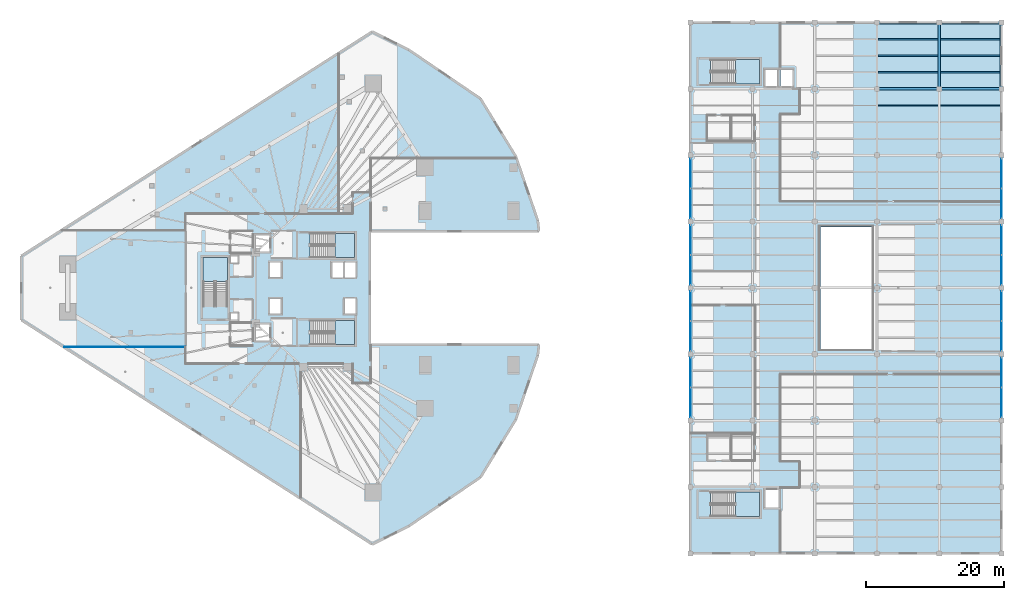
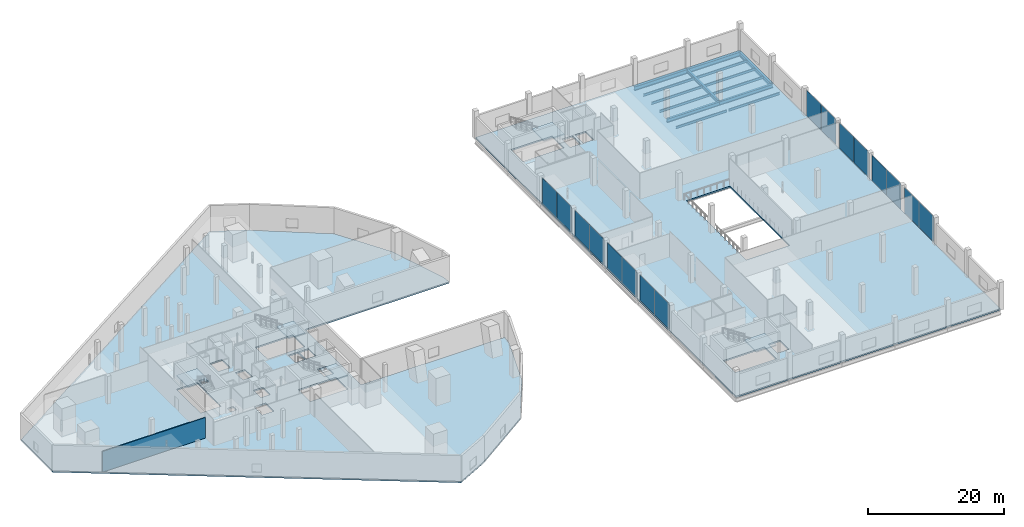
# One storey, part 25 of 47: 16 plates, 14 beams, 7 slabs, 1 wall, 13 elements without a shape of their own.
"""IFC4 building model written with IfcOpenShell, lengths in metres."""

from ifc_helpers import new_model, si_unit, direction, frame, frame_2d, origin, origin_2d, place, context, subcontext, project, spatial, polyline, rectangle, i_section, outline, extrude, material, layer, layer_set, material_profile, profile_set, type_object, element, aggregate, save


model = new_model("IFC4")

# Units and contexts
model_context = context("Model", 3, precision=1e-05, world=origin(), true_north=direction((0.0, 1.0)))
body_context = subcontext(model_context, "Body", "Model", "MODEL_VIEW")
ifc_project = project(units=[si_unit("LENGTHUNIT", "METRE"), si_unit("AREAUNIT", "SQUARE_METRE"), si_unit("VOLUMEUNIT", "CUBIC_METRE"), si_unit("PLANEANGLEUNIT", "RADIAN"), si_unit("MASSUNIT", "GRAM", prefix="KILO")], contexts=[model_context])

# Site, building, storey
site_placement = place(None, origin())
site = spatial("IfcSite", under=ifc_project, at=site_placement, CompositionType="ELEMENT")
building_placement = place(site_placement, origin())
building = spatial("IfcBuilding", under=site, at=building_placement, Name="Qorvath Tower", CompositionType="ELEMENT")
storey_placement = place(building_placement, frame((0.0, 0.0, 12.0)))
storey = spatial("IfcBuildingStorey", under=building, at=storey_placement, Name="L02", CompositionType="ELEMENT", Elevation=12.0)

# Beams
ifc_material_1 = material(Name="Steel ASTM A992 Grade 50", Category="steel")
ifc_material_profile_1 = material_profile(ifc_material_1, i_section(OverallWidth=0.381103515625, OverallDepth=0.77294921875, WebThickness=0.0166015625, FlangeThickness=0.027099609375, FilletRadius=0.01904296875, at=origin_2d()), Name="W30x173")
ifc_profile_set_1 = profile_set([ifc_material_profile_1], Name="Steel ASTM A992 Grade 50")
beam_type_1 = type_object("IfcBeamType", Name="BM-FG3", PredefinedType="BEAM", material=ifc_profile_set_1)
for number, where, z_axis, x_axis, name in (
    (1, (59.39990234375, 38.39990234375, -0.646484375), (1.0, 0.0, 0.0), (0.0, 1.0, 0.0), "Library E-W Girder L02-9-4"),
    (2, (68.39990234375, 38.39990234375, -0.646484375), (1.0, 0.0, 0.0), (0.0, 1.0, 0.0), "Library E-W Girder L02-9-5"),
):
    element("IfcBeam", number, at=place(storey_placement, frame(where, z_axis=z_axis, x_axis=x_axis)), inside=storey, type_object=beam_type_1, Name=name, PredefinedType="BEAM", context=body_context, shape_type="SweptSolid", body=[
        extrude(i_section(OverallWidth=0.381103515625, OverallDepth=0.77294921875, WebThickness=0.0166015625, FlangeThickness=0.027099609375, FilletRadius=0.01904296875, at=origin_2d()), origin(), (0.0, 0.0, 1.0), 9.0),
    ])
beam_1_placement = place(storey_placement, frame((77.39990234375, 28.800048828125, -0.646484375), z_axis=(0.0, 1.0, 0.0), x_axis=(-1.0, 0.0, 0.0)))
element("IfcBeam", 3, at=beam_1_placement, inside=storey, type_object=beam_type_1, Name="Library N-S Girder L02-6-8", PredefinedType="BEAM", context=body_context, shape_type="SweptSolid", body=[
    extrude(i_section(OverallWidth=0.381103515625, OverallDepth=0.77294921875, WebThickness=0.0166015625, FlangeThickness=0.027099609375, FilletRadius=0.01904296875, at=origin_2d()), origin(), (0.0, 0.0, 1.0), 9.599853515625),
])
ifc_material_2 = material(Name="Steel ASTM A992 Grade 50", Category="steel")
ifc_material_profile_2 = material_profile(ifc_material_2, i_section(OverallWidth=0.35595703125, OverallDepth=0.696044921875, WebThickness=0.015380859375, FlangeThickness=0.02490234375, FilletRadius=0.01806640625, at=origin_2d()), Name="W27x146")
ifc_profile_set_2 = profile_set([ifc_material_profile_2], Name="Steel ASTM A992 Grade 50")
beam_type_2 = type_object("IfcBeamType", Name="BM-FG4", PredefinedType="BEAM", material=ifc_profile_set_2)
for number, where, z_axis, x_axis, name in (
    (4, (59.39990234375, 28.800048828125, -0.60791015625), (1.0, 0.0, 0.0), (0.0, 1.0, 0.0), "Library E-W Girder L02-8-4"),
    (5, (68.39990234375, 28.800048828125, -0.60791015625), (1.0, 0.0, 0.0), (0.0, 1.0, 0.0), "Library E-W Girder L02-8-5"),
):
    element("IfcBeam", number, at=place(storey_placement, frame(where, z_axis=z_axis, x_axis=x_axis)), inside=storey, type_object=beam_type_2, Name=name, PredefinedType="BEAM", context=body_context, shape_type="SweptSolid", body=[
        extrude(i_section(OverallWidth=0.35595703125, OverallDepth=0.696044921875, WebThickness=0.015380859375, FlangeThickness=0.02490234375, FilletRadius=0.01806640625, at=origin_2d()), origin(), (0.0, 0.0, 1.0), 9.0),
    ])
ifc_material_3 = material(Name="Steel ASTM A992 Grade 50", Category="steel")
ifc_material_profile_3 = material_profile(ifc_material_3, i_section(OverallWidth=0.324951171875, OverallDepth=0.615966796875, WebThickness=0.013916015625, FlangeThickness=0.021484375, FilletRadius=0.01611328125, at=origin_2d()), Name="W24x117")
ifc_profile_set_3 = profile_set([ifc_material_profile_3], Name="Steel ASTM A992 Grade 50")
beam_type_3 = type_object("IfcBeamType", Name="BM-FG5", PredefinedType="BEAM", material=ifc_profile_set_3)
beam_2_placement = place(storey_placement, frame((68.39990234375, 28.800048828125, -0.568115234375), z_axis=(0.0, 1.0, 0.0), x_axis=(-1.0, 0.0, 0.0)))
element("IfcBeam", 6, at=beam_2_placement, inside=storey, type_object=beam_type_3, Name="Library N-S Girder L02-5-8", PredefinedType="BEAM", context=body_context, shape_type="SweptSolid", body=[
    extrude(i_section(OverallWidth=0.324951171875, OverallDepth=0.615966796875, WebThickness=0.013916015625, FlangeThickness=0.021484375, FilletRadius=0.01611328125, at=origin_2d()), origin(), (0.0, 0.0, 1.0), 9.599853515625),
])
ifc_material_4 = material(Name="Steel ASTM A992 Grade 50", Category="steel")
ifc_material_profile_4 = material_profile(ifc_material_4, i_section(OverallWidth=0.18994140625, OverallDepth=0.45703125, WebThickness=0.009033203125, FlangeThickness=0.014404296875, FilletRadius=0.011962890625, at=origin_2d()), Name="W18x50")
ifc_profile_set_4 = profile_set([ifc_material_profile_4], Name="Steel ASTM A992 Grade 50")
beam_type_4 = type_object("IfcBeamType", Name="BM-FJ2", PredefinedType="JOIST", material=ifc_profile_set_4)
beam_3_placement = place(storey_placement, frame((59.560546875, 26.39990234375, -0.488525390625), z_axis=(1.0, 0.0, 0.0), x_axis=(0.0, 1.0, 0.0)))
element("IfcBeam", 7, at=beam_3_placement, inside=storey, type_object=beam_type_4, Name="Library Stack Joist L02-7.3-4", PredefinedType="JOIST", context=body_context, shape_type="SweptSolid", body=[
    extrude(i_section(OverallWidth=0.18994140625, OverallDepth=0.45703125, WebThickness=0.009033203125, FlangeThickness=0.014404296875, FilletRadius=0.011962890625, at=origin_2d()), origin(), (0.0, 0.0, 1.0), 8.678955078125),
])
beam_4_placement = place(storey_placement, frame((68.560546875, 26.39990234375, -0.488525390625), z_axis=(1.0, 0.0, 0.0), x_axis=(0.0, 1.0, 0.0)))
element("IfcBeam", 8, at=beam_4_placement, inside=storey, type_object=beam_type_4, Name="Library Stack Joist L02-7.3-5", PredefinedType="JOIST", context=body_context, shape_type="SweptSolid", body=[
    extrude(i_section(OverallWidth=0.18994140625, OverallDepth=0.45703125, WebThickness=0.009033203125, FlangeThickness=0.014404296875, FilletRadius=0.011962890625, at=origin_2d()), origin(), (0.0, 0.0, 1.0), 8.65087890625),
])
beam_5_placement = place(storey_placement, frame((59.560546875, 31.199951171875, -0.488525390625), z_axis=(1.0, 0.0, 0.0), x_axis=(0.0, 1.0, 0.0)))
element("IfcBeam", 9, at=beam_5_placement, inside=storey, type_object=beam_type_4, Name="Library Stack Joist L02-8.1-4", PredefinedType="JOIST", context=body_context, shape_type="SweptSolid", body=[
    extrude(i_section(OverallWidth=0.18994140625, OverallDepth=0.45703125, WebThickness=0.009033203125, FlangeThickness=0.014404296875, FilletRadius=0.011962890625, at=origin_2d()), origin(), (0.0, 0.0, 1.0), 8.678955078125),
])
beam_6_placement = place(storey_placement, frame((68.560546875, 31.199951171875, -0.488525390625), z_axis=(1.0, 0.0, 0.0), x_axis=(0.0, 1.0, 0.0)))
element("IfcBeam", 10, at=beam_6_placement, inside=storey, type_object=beam_type_4, Name="Library Stack Joist L02-8.1-5", PredefinedType="JOIST", context=body_context, shape_type="SweptSolid", body=[
    extrude(i_section(OverallWidth=0.18994140625, OverallDepth=0.45703125, WebThickness=0.009033203125, FlangeThickness=0.014404296875, FilletRadius=0.011962890625, at=origin_2d()), origin(), (0.0, 0.0, 1.0), 8.65087890625),
])
beam_7_placement = place(storey_placement, frame((59.560546875, 33.60009765625, -0.488525390625), z_axis=(1.0, 0.0, 0.0), x_axis=(0.0, 1.0, 0.0)))
element("IfcBeam", 11, at=beam_7_placement, inside=storey, type_object=beam_type_4, Name="Library Stack Joist L02-8.2-4", PredefinedType="JOIST", context=body_context, shape_type="SweptSolid", body=[
    extrude(i_section(OverallWidth=0.18994140625, OverallDepth=0.45703125, WebThickness=0.009033203125, FlangeThickness=0.014404296875, FilletRadius=0.011962890625, at=origin_2d()), origin(), (0.0, 0.0, 1.0), 8.678955078125),
])
beam_8_placement = place(storey_placement, frame((68.560546875, 33.60009765625, -0.488525390625), z_axis=(1.0, 0.0, 0.0), x_axis=(0.0, 1.0, 0.0)))
element("IfcBeam", 12, at=beam_8_placement, inside=storey, type_object=beam_type_4, Name="Library Stack Joist L02-8.2-5", PredefinedType="JOIST", context=body_context, shape_type="SweptSolid", body=[
    extrude(i_section(OverallWidth=0.18994140625, OverallDepth=0.45703125, WebThickness=0.009033203125, FlangeThickness=0.014404296875, FilletRadius=0.011962890625, at=origin_2d()), origin(), (0.0, 0.0, 1.0), 8.65087890625),
])
beam_9_placement = place(storey_placement, frame((59.560546875, 36.0, -0.488525390625), z_axis=(1.0, 0.0, 0.0), x_axis=(0.0, 1.0, 0.0)))
element("IfcBeam", 13, at=beam_9_placement, inside=storey, type_object=beam_type_4, Name="Library Stack Joist L02-8.3-4", PredefinedType="JOIST", context=body_context, shape_type="SweptSolid", body=[
    extrude(i_section(OverallWidth=0.18994140625, OverallDepth=0.45703125, WebThickness=0.009033203125, FlangeThickness=0.014404296875, FilletRadius=0.011962890625, at=origin_2d()), origin(), (0.0, 0.0, 1.0), 8.678955078125),
])
beam_10_placement = place(storey_placement, frame((68.560546875, 36.0, -0.488525390625), z_axis=(1.0, 0.0, 0.0), x_axis=(0.0, 1.0, 0.0)))
element("IfcBeam", 14, at=beam_10_placement, inside=storey, type_object=beam_type_4, Name="Library Stack Joist L02-8.3-5", PredefinedType="JOIST", context=body_context, shape_type="SweptSolid", body=[
    extrude(i_section(OverallWidth=0.18994140625, OverallDepth=0.45703125, WebThickness=0.009033203125, FlangeThickness=0.014404296875, FilletRadius=0.011962890625, at=origin_2d()), origin(), (0.0, 0.0, 1.0), 8.65087890625),
])

# Curtain wall, plates
ifc_material_5 = material(Name="Anodised aluminium and triple low-E glass", Category="aluminium")
ifc_layer_1 = layer(ifc_material_5, 0.179931640625)
ifc_layer_set_1 = layer_set([ifc_layer_1], Name="CW-SYS-6")
curtain_wall_type = type_object("IfcCurtainWallType", Name="CW-SYS-6", PredefinedType="NOTDEFINED", material=ifc_layer_set_1)
curtain_wall_1_placement = place(storey_placement, origin())
curtain_wall_1 = element("IfcCurtainWall", 15, at=curtain_wall_1_placement, inside=storey, type_object=curtain_wall_type, Name="Curtain Wall CW-6 CW-LIB-W-L02-3", PredefinedType="NOTDEFINED")
ifc_material_6 = material(Name="Low-E triple insulated glass", Category="glass")
ifc_layer_2 = layer(ifc_material_6, 0.031982421875)
ifc_layer_set_2 = layer_set([ifc_layer_2], Name="CWP-GLZ-32")
plate_type = type_object("IfcPlateType", Name="CWP-GLZ-32", PredefinedType="CURTAIN_PANEL", material=ifc_layer_set_2)
plate_1_placement = place(storey_placement, frame((32.39990234375, -16.570068359375, 0.06494140625), z_axis=(0.0, 0.0, 1.0), x_axis=(0.0, 1.0, 0.0)))
plate_1 = element("IfcPlate", 16, at=plate_1_placement, type_object=plate_type, Name="CW-6 panel 1.1", PredefinedType="CURTAIN_PANEL", context=body_context, shape_type="SweptSolid", body=[
    extrude(rectangle(XDim=4.260009765625, YDim=0.031982421875, at=origin_2d()), origin(), (0.0, 0.0, 1.0), 4.610107421875),
])
plate_2_placement = place(storey_placement, frame((32.39990234375, -12.22998046875, 0.06494140625), z_axis=(0.0, 0.0, 1.0), x_axis=(0.0, 1.0, 0.0)))
plate_2 = element("IfcPlate", 17, at=plate_2_placement, type_object=plate_type, Name="CW-6 panel 2.1", PredefinedType="CURTAIN_PANEL", context=body_context, shape_type="SweptSolid", body=[
    extrude(rectangle(XDim=4.260009765625, YDim=0.031982421875, at=origin_2d()), origin(), (0.0, 0.0, 1.0), 4.610107421875),
])
aggregate(curtain_wall_1, [plate_1, plate_2])

curtain_wall_2_placement = place(storey_placement, origin())
curtain_wall_2 = element("IfcCurtainWall", 18, at=curtain_wall_2_placement, inside=storey, type_object=curtain_wall_type, Name="Curtain Wall CW-6 CW-LIB-W-L02-4", PredefinedType="NOTDEFINED")
plate_3_placement = place(storey_placement, frame((32.39990234375, -6.969970703125, 0.06494140625), z_axis=(0.0, 0.0, 1.0), x_axis=(0.0, 1.0, 0.0)))
plate_3 = element("IfcPlate", 19, at=plate_3_placement, type_object=plate_type, Name="CW-6 panel 1.1", PredefinedType="CURTAIN_PANEL", context=body_context, shape_type="SweptSolid", body=[
    extrude(rectangle(XDim=4.260009765625, YDim=0.031982421875, at=origin_2d()), origin(), (0.0, 0.0, 1.0), 4.610107421875),
])
plate_4_placement = place(storey_placement, frame((32.39990234375, -2.6298828125, 0.06494140625), z_axis=(0.0, 0.0, 1.0), x_axis=(0.0, 1.0, 0.0)))
plate_4 = element("IfcPlate", 20, at=plate_4_placement, type_object=plate_type, Name="CW-6 panel 2.1", PredefinedType="CURTAIN_PANEL", context=body_context, shape_type="SweptSolid", body=[
    extrude(rectangle(XDim=4.260009765625, YDim=0.031982421875, at=origin_2d()), origin(), (0.0, 0.0, 1.0), 4.610107421875),
])
aggregate(curtain_wall_2, [plate_3, plate_4])

curtain_wall_3_placement = place(storey_placement, origin())
curtain_wall_3 = element("IfcCurtainWall", 21, at=curtain_wall_3_placement, inside=storey, type_object=curtain_wall_type, Name="Curtain Wall CW-6 CW-LIB-W-L02-5", PredefinedType="NOTDEFINED")
plate_5_placement = place(storey_placement, frame((32.39990234375, 2.6298828125, 0.06494140625), z_axis=(0.0, 0.0, 1.0), x_axis=(0.0, 1.0, 0.0)))
plate_5 = element("IfcPlate", 22, at=plate_5_placement, type_object=plate_type, Name="CW-6 panel 1.1", PredefinedType="CURTAIN_PANEL", context=body_context, shape_type="SweptSolid", body=[
    extrude(rectangle(XDim=4.260009765625, YDim=0.031982421875, at=origin_2d()), origin(), (0.0, 0.0, 1.0), 4.610107421875),
])
plate_6_placement = place(storey_placement, frame((32.39990234375, 6.969970703125, 0.06494140625), z_axis=(0.0, 0.0, 1.0), x_axis=(0.0, 1.0, 0.0)))
plate_6 = element("IfcPlate", 23, at=plate_6_placement, type_object=plate_type, Name="CW-6 panel 2.1", PredefinedType="CURTAIN_PANEL", context=body_context, shape_type="SweptSolid", body=[
    extrude(rectangle(XDim=4.260009765625, YDim=0.031982421875, at=origin_2d()), origin(), (0.0, 0.0, 1.0), 4.610107421875),
])
aggregate(curtain_wall_3, [plate_5, plate_6])

curtain_wall_4_placement = place(storey_placement, origin())
curtain_wall_4 = element("IfcCurtainWall", 24, at=curtain_wall_4_placement, inside=storey, type_object=curtain_wall_type, Name="Curtain Wall CW-6 CW-LIB-W-L02-6", PredefinedType="NOTDEFINED")
plate_7_placement = place(storey_placement, frame((32.39990234375, 12.22998046875, 0.06494140625), z_axis=(0.0, 0.0, 1.0), x_axis=(0.0, 1.0, 0.0)))
plate_7 = element("IfcPlate", 25, at=plate_7_placement, type_object=plate_type, Name="CW-6 panel 1.1", PredefinedType="CURTAIN_PANEL", context=body_context, shape_type="SweptSolid", body=[
    extrude(rectangle(XDim=4.260009765625, YDim=0.031982421875, at=origin_2d()), origin(), (0.0, 0.0, 1.0), 4.610107421875),
])
plate_8_placement = place(storey_placement, frame((32.39990234375, 16.570068359375, 0.06494140625), z_axis=(0.0, 0.0, 1.0), x_axis=(0.0, 1.0, 0.0)))
plate_8 = element("IfcPlate", 26, at=plate_8_placement, type_object=plate_type, Name="CW-6 panel 2.1", PredefinedType="CURTAIN_PANEL", context=body_context, shape_type="SweptSolid", body=[
    extrude(rectangle(XDim=4.260009765625, YDim=0.031982421875, at=origin_2d()), origin(), (0.0, 0.0, 1.0), 4.610107421875),
])
aggregate(curtain_wall_4, [plate_7, plate_8])

curtain_wall_5_placement = place(storey_placement, origin())
curtain_wall_5 = element("IfcCurtainWall", 27, at=curtain_wall_5_placement, inside=storey, type_object=curtain_wall_type, Name="Curtain Wall CW-6 CW-LIB-E-L02-3", PredefinedType="NOTDEFINED")
plate_9_placement = place(storey_placement, frame((77.39990234375, -16.570068359375, 0.06494140625), z_axis=(0.0, 0.0, 1.0), x_axis=(0.0, 1.0, 0.0)))
plate_9 = element("IfcPlate", 28, at=plate_9_placement, type_object=plate_type, Name="CW-6 panel 1.1", PredefinedType="CURTAIN_PANEL", context=body_context, shape_type="SweptSolid", body=[
    extrude(rectangle(XDim=4.260009765625, YDim=0.031982421875, at=origin_2d()), origin(), (0.0, 0.0, 1.0), 4.610107421875),
])
plate_10_placement = place(storey_placement, frame((77.39990234375, -12.22998046875, 0.06494140625), z_axis=(0.0, 0.0, 1.0), x_axis=(0.0, 1.0, 0.0)))
plate_10 = element("IfcPlate", 29, at=plate_10_placement, type_object=plate_type, Name="CW-6 panel 2.1", PredefinedType="CURTAIN_PANEL", context=body_context, shape_type="SweptSolid", body=[
    extrude(rectangle(XDim=4.260009765625, YDim=0.031982421875, at=origin_2d()), origin(), (0.0, 0.0, 1.0), 4.610107421875),
])
aggregate(curtain_wall_5, [plate_9, plate_10])

curtain_wall_6_placement = place(storey_placement, origin())
curtain_wall_6 = element("IfcCurtainWall", 30, at=curtain_wall_6_placement, inside=storey, type_object=curtain_wall_type, Name="Curtain Wall CW-6 CW-LIB-E-L02-4", PredefinedType="NOTDEFINED")
plate_11_placement = place(storey_placement, frame((77.39990234375, -6.969970703125, 0.06494140625), z_axis=(0.0, 0.0, 1.0), x_axis=(0.0, 1.0, 0.0)))
plate_11 = element("IfcPlate", 31, at=plate_11_placement, type_object=plate_type, Name="CW-6 panel 1.1", PredefinedType="CURTAIN_PANEL", context=body_context, shape_type="SweptSolid", body=[
    extrude(rectangle(XDim=4.260009765625, YDim=0.031982421875, at=origin_2d()), origin(), (0.0, 0.0, 1.0), 4.610107421875),
])
plate_12_placement = place(storey_placement, frame((77.39990234375, -2.6298828125, 0.06494140625), z_axis=(0.0, 0.0, 1.0), x_axis=(0.0, 1.0, 0.0)))
plate_12 = element("IfcPlate", 32, at=plate_12_placement, type_object=plate_type, Name="CW-6 panel 2.1", PredefinedType="CURTAIN_PANEL", context=body_context, shape_type="SweptSolid", body=[
    extrude(rectangle(XDim=4.260009765625, YDim=0.031982421875, at=origin_2d()), origin(), (0.0, 0.0, 1.0), 4.610107421875),
])
aggregate(curtain_wall_6, [plate_11, plate_12])

curtain_wall_7_placement = place(storey_placement, origin())
curtain_wall_7 = element("IfcCurtainWall", 33, at=curtain_wall_7_placement, inside=storey, type_object=curtain_wall_type, Name="Curtain Wall CW-6 CW-LIB-E-L02-5", PredefinedType="NOTDEFINED")
plate_13_placement = place(storey_placement, frame((77.39990234375, 2.6298828125, 0.06494140625), z_axis=(0.0, 0.0, 1.0), x_axis=(0.0, 1.0, 0.0)))
plate_13 = element("IfcPlate", 34, at=plate_13_placement, type_object=plate_type, Name="CW-6 panel 1.1", PredefinedType="CURTAIN_PANEL", context=body_context, shape_type="SweptSolid", body=[
    extrude(rectangle(XDim=4.260009765625, YDim=0.031982421875, at=origin_2d()), origin(), (0.0, 0.0, 1.0), 4.610107421875),
])
plate_14_placement = place(storey_placement, frame((77.39990234375, 6.969970703125, 0.06494140625), z_axis=(0.0, 0.0, 1.0), x_axis=(0.0, 1.0, 0.0)))
plate_14 = element("IfcPlate", 35, at=plate_14_placement, type_object=plate_type, Name="CW-6 panel 2.1", PredefinedType="CURTAIN_PANEL", context=body_context, shape_type="SweptSolid", body=[
    extrude(rectangle(XDim=4.260009765625, YDim=0.031982421875, at=origin_2d()), origin(), (0.0, 0.0, 1.0), 4.610107421875),
])
aggregate(curtain_wall_7, [plate_13, plate_14])

curtain_wall_8_placement = place(storey_placement, origin())
curtain_wall_8 = element("IfcCurtainWall", 36, at=curtain_wall_8_placement, inside=storey, type_object=curtain_wall_type, Name="Curtain Wall CW-6 CW-LIB-E-L02-6", PredefinedType="NOTDEFINED")
plate_15_placement = place(storey_placement, frame((77.39990234375, 12.22998046875, 0.06494140625), z_axis=(0.0, 0.0, 1.0), x_axis=(0.0, 1.0, 0.0)))
plate_15 = element("IfcPlate", 37, at=plate_15_placement, type_object=plate_type, Name="CW-6 panel 1.1", PredefinedType="CURTAIN_PANEL", context=body_context, shape_type="SweptSolid", body=[
    extrude(rectangle(XDim=4.260009765625, YDim=0.031982421875, at=origin_2d()), origin(), (0.0, 0.0, 1.0), 4.610107421875),
])
plate_16_placement = place(storey_placement, frame((77.39990234375, 16.570068359375, 0.06494140625), z_axis=(0.0, 0.0, 1.0), x_axis=(0.0, 1.0, 0.0)))
plate_16 = element("IfcPlate", 38, at=plate_16_placement, type_object=plate_type, Name="CW-6 panel 2.1", PredefinedType="CURTAIN_PANEL", context=body_context, shape_type="SweptSolid", body=[
    extrude(rectangle(XDim=4.260009765625, YDim=0.031982421875, at=origin_2d()), origin(), (0.0, 0.0, 1.0), 4.610107421875),
])
aggregate(curtain_wall_8, [plate_15, plate_16])

# Slab
ifc_material_7 = material(Name="Concrete C45/55", Category="concrete")
ifc_layer_3 = layer(ifc_material_7, 0.260009765625)
ifc_layer_set_3 = layer_set([ifc_layer_3], Name="SL-LIB-STK-260")
slab_type_1 = type_object("IfcSlabType", Name="SL-LIB-STK-260", PredefinedType="FLOOR", material=ifc_layer_set_3)
slab_1_placement = place(storey_placement, frame((0.0, 0.0, -0.260009765625)))
element("IfcSlab", 39, at=slab_1_placement, inside=storey, type_object=slab_type_1, Name="Central Library L02 Floor Slab", PredefinedType="FLOOR", context=body_context, shape_type="SweptSolid", body=[
    extrude(outline(polyline([(77.39990234375, -38.39990234375), (77.39990234375, 38.39990234375), (32.39990234375, 38.39990234375), (32.39990234375, -38.39990234375), (77.39990234375, -38.39990234375)]), holes=[polyline([(58.60009765625, -8.800048828125), (51.199951171875, -8.800048828125), (51.199951171875, 8.800048828125), (58.60009765625, 8.800048828125), (58.60009765625, -8.800048828125)]), polyline([(47.199951171875, 29.199951171875), (45.39990234375, 29.199951171875), (45.39990234375, 31.60009765625), (47.199951171875, 31.60009765625), (47.199951171875, 29.199951171875)]), polyline([(45.199951171875, -31.800048828125), (43.199951171875, -31.800048828125), (43.199951171875, -29.199951171875), (45.199951171875, -29.199951171875), (45.199951171875, -31.800048828125)]), polyline([(45.0, 31.60009765625), (45.0, 29.199951171875), (43.199951171875, 29.199951171875), (43.199951171875, 31.60009765625), (45.0, 31.60009765625)]), polyline([(42.35498046875, -29.5400390625), (42.35498046875, -33.050048828125), (35.324951171875, -33.050048828125), (35.324951171875, -29.5400390625), (42.35498046875, -29.5400390625)]), polyline([(42.35498046875, 29.550048828125), (35.324951171875, 29.550048828125), (35.324951171875, 33.06005859375), (42.35498046875, 33.06005859375), (42.35498046875, 29.550048828125)])]), origin(), (0.0, 0.0, 1.0), 0.260009765625),
])

# Stair, slab
ifc_material_8 = material(Name="Concrete C50/60", Category="concrete")
stair_type = type_object("IfcStairType", Name="ST-H500", PredefinedType="HALF_TURN_STAIR", material=ifc_material_8)
stair_1_placement = place(storey_placement, origin())
stair_1 = element("IfcStair", 40, at=stair_1_placement, inside=storey, type_object=stair_type, Name="L02 Library Exit Stair 1", PredefinedType="HALF_TURN_STAIR")
ifc_material_9 = material(Name="Concrete C50/60", Category="concrete")
ifc_layer_4 = layer(ifc_material_9, 0.199951171875)
ifc_layer_set_4 = layer_set([ifc_layer_4], Name="SL-LND-200")
slab_type_2 = type_object("IfcSlabType", Name="SL-LND-200", PredefinedType="LANDING", material=ifc_layer_set_4)
slab_2_placement = place(storey_placement, frame((0.0, 0.0, 2.300048828125)))
slab_2 = element("IfcSlab", 41, at=slab_2_placement, type_object=slab_type_2, Name="LS1 landing 1", PredefinedType="LANDING", context=body_context, shape_type="SweptSolid", body=[
    extrude(outline(polyline([(38.919921875, 29.550048828125), (42.39990234375, 29.550048828125), (42.39990234375, 33.06005859375), (38.919921875, 33.06005859375), (38.919921875, 29.550048828125)])), origin(), (0.0, 0.0, 1.0), 0.199951171875),
])
aggregate(stair_1, [slab_2])

stair_2_placement = place(storey_placement, origin())
stair_2 = element("IfcStair", 42, at=stair_2_placement, inside=storey, type_object=stair_type, Name="L02 Library Exit Stair 2", PredefinedType="HALF_TURN_STAIR")
slab_3_placement = place(storey_placement, frame((0.0, 0.0, 2.300048828125)))
slab_3 = element("IfcSlab", 43, at=slab_3_placement, type_object=slab_type_2, Name="LS2 landing 1", PredefinedType="LANDING", context=body_context, shape_type="SweptSolid", body=[
    extrude(outline(polyline([(38.919921875, -33.050048828125), (42.39990234375, -33.050048828125), (42.39990234375, -29.5400390625), (38.919921875, -29.5400390625), (38.919921875, -33.050048828125)])), origin(), (0.0, 0.0, 1.0), 0.199951171875),
])
aggregate(stair_2, [slab_3])

stair_3_placement = place(storey_placement, origin())
stair_3 = element("IfcStair", 44, at=stair_3_placement, inside=storey, type_object=stair_type, Name="L02 Tower Exit Stair 1", PredefinedType="HALF_TURN_STAIR")
slab_4_placement = place(storey_placement, frame((0.0, 0.0, 2.300048828125)))
slab_4 = element("IfcSlab", 45, at=slab_4_placement, type_object=slab_type_2, Name="TS1 landing 1", PredefinedType="LANDING", context=body_context, shape_type="SweptSolid", body=[
    extrude(outline(polyline([(-19.030029296875, 4.39990234375), (-16.199951171875, 4.39990234375), (-16.199951171875, 7.909912109375), (-19.030029296875, 7.909912109375), (-19.030029296875, 4.39990234375)])), origin(), (0.0, 0.0, 1.0), 0.199951171875),
])
aggregate(stair_3, [slab_4])

stair_4_placement = place(storey_placement, origin())
stair_4 = element("IfcStair", 46, at=stair_4_placement, inside=storey, type_object=stair_type, Name="L02 Tower Exit Stair 2", PredefinedType="HALF_TURN_STAIR")
slab_5_placement = place(storey_placement, frame((0.0, 0.0, 2.300048828125)))
slab_5 = element("IfcSlab", 47, at=slab_5_placement, type_object=slab_type_2, Name="TS2 landing 1", PredefinedType="LANDING", context=body_context, shape_type="SweptSolid", body=[
    extrude(outline(polyline([(-19.030029296875, -8.199951171875), (-16.199951171875, -8.199951171875), (-16.199951171875, -4.68994140625), (-19.030029296875, -4.68994140625), (-19.030029296875, -8.199951171875)])), origin(), (0.0, 0.0, 1.0), 0.199951171875),
])
aggregate(stair_4, [slab_5])

stair_5_placement = place(storey_placement, origin())
stair_5 = element("IfcStair", 48, at=stair_5_placement, inside=storey, type_object=stair_type, Name="L02 Tower Exit Stair 3", PredefinedType="HALF_TURN_STAIR")
slab_6_placement = place(storey_placement, frame((0.0, 0.0, 2.300048828125)))
slab_6 = element("IfcSlab", 49, at=slab_6_placement, type_object=slab_type_2, Name="TS3 landing 1", PredefinedType="LANDING", context=body_context, shape_type="SweptSolid", body=[
    extrude(outline(polyline([(-34.60009765625, 0.919921875), (-34.60009765625, 4.39990234375), (-38.110107421875, 4.39990234375), (-38.110107421875, 0.919921875), (-34.60009765625, 0.919921875)])), origin(), (0.0, 0.0, 1.0), 0.199951171875),
])
aggregate(stair_5, [slab_6])

# Slab
ifc_material_10 = material(Name="Concrete C45/55", Category="concrete")
ifc_layer_5 = layer(ifc_material_10, 0.260009765625)
ifc_layer_set_5 = layer_set([ifc_layer_5], Name="SL-POD-260")
slab_type_3 = type_object("IfcSlabType", Name="SL-POD-260", PredefinedType="FLOOR", material=ifc_layer_set_5)
slab_7_placement = place(storey_placement, frame((0.0, 0.0, -0.260009765625)))
element("IfcSlab", 50, at=slab_7_placement, inside=storey, type_object=slab_type_3, Name="Tower L02 Floor Slab", PredefinedType="FLOOR", context=body_context, shape_type="SweptSolid", body=[
    extrude(outline(polyline([(10.3125, -9.748779296875), (10.483154296875, -8.199951171875), (-14.0, -8.199951171875), (-14.0, 8.199951171875), (10.483154296875, 8.199951171875), (10.3125, 9.748779296875), (7.139404296875, 19.029052734375), (2.0205078125, 27.39501953125), (-8.3359375, 34.44482421875), (-13.63525390625, 37.094482421875), (-64.419189453125, 4.63671875), (-64.419189453125, -4.63671875), (-13.63525390625, -37.094482421875), (-8.3359375, -34.44482421875), (2.0205078125, -27.39501953125), (7.139404296875, -19.029052734375), (10.3125, -9.748779296875)]), holes=[polyline([(-17.64990234375, -3.699951171875), (-17.64990234375, -1.550048828125), (-16.050048828125, -1.550048828125), (-16.050048828125, -3.699951171875), (-17.64990234375, -3.699951171875)]), polyline([(-17.64990234375, 1.550048828125), (-17.64990234375, 3.699951171875), (-16.050048828125, 3.699951171875), (-16.050048828125, 1.550048828125), (-17.64990234375, 1.550048828125)]), polyline([(-16.2451171875, -8.199951171875), (-22.625, -8.199951171875), (-22.625, -4.68994140625), (-16.2451171875, -4.68994140625), (-16.2451171875, -8.199951171875)]), polyline([(-22.625, 4.39990234375), (-22.625, 7.909912109375), (-16.2451171875, 7.909912109375), (-16.2451171875, 4.39990234375), (-22.625, 4.39990234375)]), polyline([(-17.85009765625, 1.550048828125), (-19.449951171875, 1.550048828125), (-19.449951171875, 3.699951171875), (-17.85009765625, 3.699951171875), (-17.85009765625, 1.550048828125)]), polyline([(-28.449951171875, -3.699951171875), (-28.449951171875, -1.550048828125), (-26.85009765625, -1.550048828125), (-26.85009765625, -3.699951171875), (-28.449951171875, -3.699951171875)]), polyline([(-26.85009765625, 1.550048828125), (-28.449951171875, 1.550048828125), (-28.449951171875, 3.699951171875), (-26.85009765625, 3.699951171875), (-26.85009765625, 1.550048828125)]), polyline([(-28.5, -7.64990234375), (-30.5, -7.64990234375), (-30.5, -5.25), (-28.5, -5.25), (-28.5, -7.64990234375)]), polyline([(-30.5, 5.25), (-30.5, 7.64990234375), (-28.5, 7.64990234375), (-28.5, 5.25), (-30.5, 5.25)]), polyline([(-34.14990234375, -4.6201171875), (-34.14990234375, -3.64990234375), (-33.10009765625, -3.64990234375), (-33.10009765625, -4.6201171875), (-34.14990234375, -4.6201171875)]), polyline([(-34.14990234375, 3.64990234375), (-34.14990234375, 4.6201171875), (-33.10009765625, 4.6201171875), (-33.10009765625, 3.64990234375), (-34.14990234375, 3.64990234375)]), polyline([(-34.60009765625, -2.675048828125), (-38.110107421875, -2.675048828125), (-38.110107421875, 4.35498046875), (-34.60009765625, 4.35498046875), (-34.60009765625, -2.675048828125)])]), origin(), (0.0, 0.0, 1.0), 0.260009765625),
])

# Wall
ifc_material_11 = material(Name="Gypsum board on metal studs with mineral wool", Category="gypsum")
ifc_layer_6 = layer(ifc_material_11, 0.125)
ifc_layer_set_6 = layer_set([ifc_layer_6], Name="IW-PART-125")
wall_type = type_object("IfcWallType", Name="IW-PART-125", PredefinedType="PARTITIONING", material=ifc_layer_set_6)
wall_placement = place(storey_placement, frame((-40.68310546875, -8.550048828125, 0.0), z_axis=(0.0, 0.0, 1.0), x_axis=(-1.0, 0.0, 0.0)))
element("IfcWall", 51, at=wall_placement, inside=storey, type_object=wall_type, Name="Interior Partition IW-T1-L02-035", PredefinedType="PARTITIONING", context=body_context, shape_type="SweptSolid", body=[
    extrude(rectangle(XDim=17.533447265625, YDim=0.125, at=frame_2d((8.7666015625, 0.0))), origin(), (0.0, 0.0, 1.0), 3.7099609375),
])

save(model, "model.ifc")
